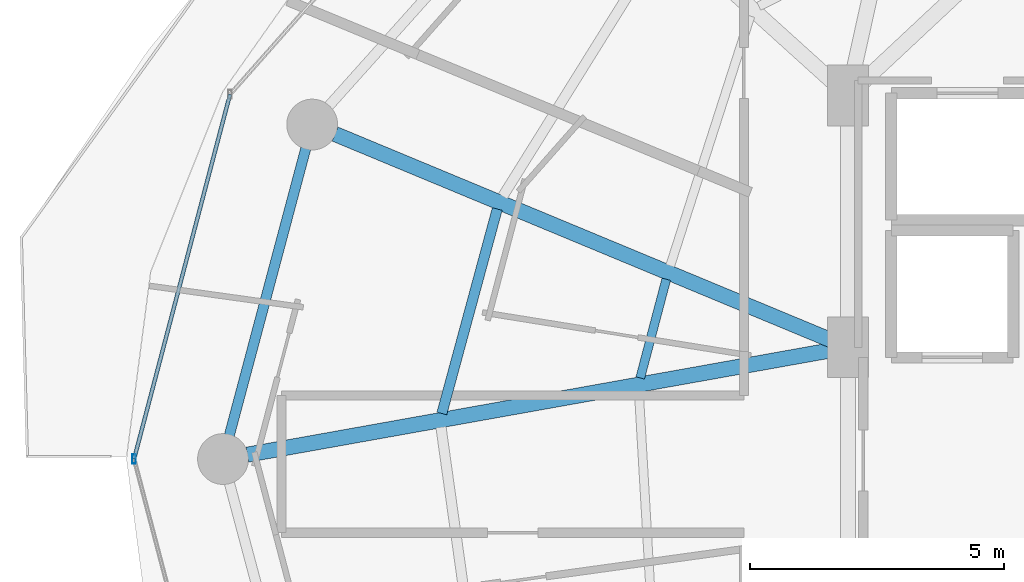
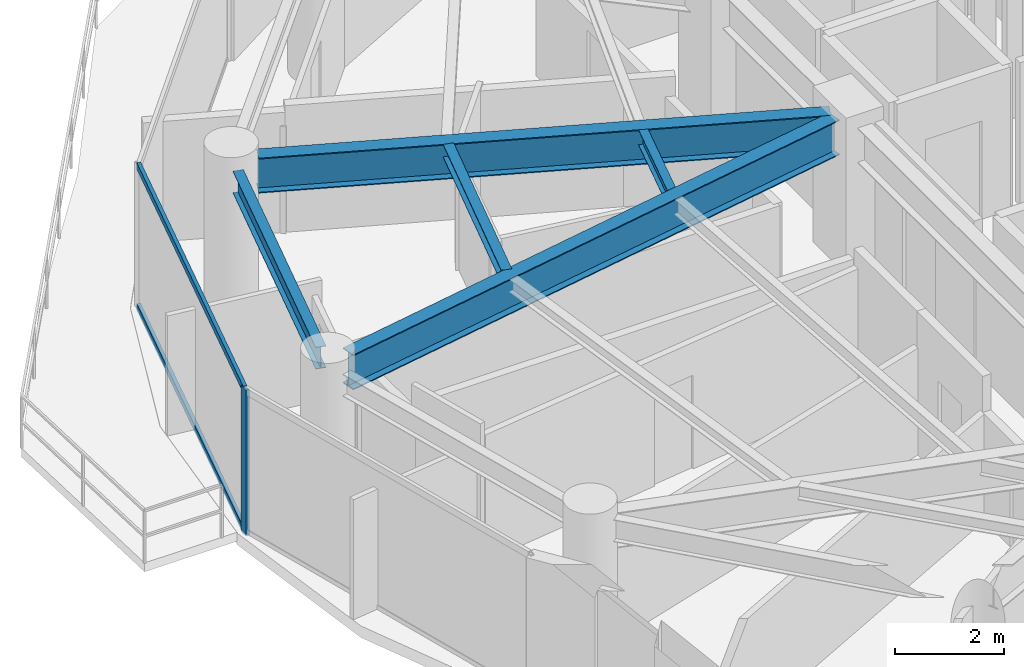
# One storey, part 8 of 29: 5 beams, 3 members, 1 element without a shape of its own.
"""IFC4 building model written with IfcOpenShell, lengths in metres."""

from ifc_helpers import new_model, si_unit, direction, frame, origin, origin_2d, place, context, subcontext, project, spatial, hollow_rectangle, i_section, extrude, material, material_profile, profile_set, type_object, element, aggregate, save


model = new_model("IFC4")

# Units and contexts
model_context = context("Model", 3, precision=1e-05, world=origin(), true_north=direction((0.0, 1.0)))
body_context = subcontext(model_context, "Body", "Model", "MODEL_VIEW")
ifc_project = project(units=[si_unit("LENGTHUNIT", "METRE"), si_unit("AREAUNIT", "SQUARE_METRE"), si_unit("VOLUMEUNIT", "CUBIC_METRE"), si_unit("PLANEANGLEUNIT", "RADIAN"), si_unit("MASSUNIT", "GRAM", prefix="KILO")], contexts=[model_context])

# Site, building, storey
site_placement = place(None, origin())
site = spatial("IfcSite", under=ifc_project, at=site_placement, CompositionType="ELEMENT")
building_placement = place(site_placement, origin())
building = spatial("IfcBuilding", under=site, at=building_placement, Name="Vorneva Point Tower", CompositionType="ELEMENT")
storey_placement = place(building_placement, frame((0.0, 0.0, 171.10009765625)))
storey = spatial("IfcBuildingStorey", under=building, at=storey_placement, Name="L46", CompositionType="ELEMENT", Elevation=171.10009765625)

# Beams
ifc_material_1 = material(Name="Steel S355", Category="steel")
ifc_material_profile_1 = material_profile(ifc_material_1, i_section(OverallWidth=0.300048828125, OverallDepth=0.7880859375, WebThickness=0.014404296875, FlangeThickness=0.02197265625, at=origin_2d()), Name="80Sh1")
ifc_profile_set_1 = profile_set([ifc_material_profile_1], Name="Steel S355")
beam_type_1 = type_object("IfcBeamType", Name="BM-GRD-80Sh1", PredefinedType="USERDEFINED", material=ifc_profile_set_1)
beam_1_placement = place(storey_placement, frame((17.1552734375, 32.39501953125, 2.805908203125), z_axis=(0.923440676596, -0.383741210723, 0.0), x_axis=(0.383741210723, 0.923440676596, 0.0)))
element("IfcBeam", 1, at=beam_1_placement, inside=storey, type_object=beam_type_1, Name="L46 Radial Primary Girder 08", ObjectType="GIRDER", PredefinedType="USERDEFINED", context=body_context, shape_type="SweptSolid", body=[
    extrude(i_section(OverallWidth=0.300048828125, OverallDepth=0.7880859375, WebThickness=0.014404296875, FlangeThickness=0.02197265625, at=origin_2d()), origin(), (0.0, 0.0, 1.0), 10.591552734375),
])
beam_2_placement = place(storey_placement, frame((15.430419921875, 26.0859375, 2.805908203125), z_axis=(0.984378132756, 0.176067293249, 0.0), x_axis=(-0.176067293249, 0.984378132756, 0.0)))
element("IfcBeam", 2, at=beam_2_placement, inside=storey, type_object=beam_type_1, Name="L46 Radial Primary Girder 09", ObjectType="GIRDER", PredefinedType="USERDEFINED", context=body_context, shape_type="SweptSolid", body=[
    extrude(i_section(OverallWidth=0.300048828125, OverallDepth=0.7880859375, WebThickness=0.014404296875, FlangeThickness=0.02197265625, at=origin_2d()), origin(), (0.0, 0.0, 1.0), 11.667236328125),
])
ifc_material_profile_2 = material_profile(ifc_material_1, i_section(OverallWidth=0.199951171875, OverallDepth=0.291015625, WebThickness=0.008056640625, FlangeThickness=0.010986328125, at=origin_2d()), Name="30Sh1")
ifc_profile_set_2 = profile_set([ifc_material_profile_2], Name="Steel S355")
beam_type_2 = type_object("IfcBeamType", Name="BM-SEC-30Sh1", PredefinedType="BEAM", material=ifc_profile_set_2)
beam_3_placement = place(storey_placement, frame((20.3466796875, 30.92041015625, 3.054443359375), z_axis=(-0.2615064173, -0.965201737312, 0.0), x_axis=(0.965201737312, -0.2615064173, 0.0)))
element("IfcBeam", 3, at=beam_3_placement, inside=storey, type_object=beam_type_2, Name="L46 Secondary Floor Beam 1.08", PredefinedType="BEAM", context=body_context, shape_type="SweptSolid", body=[
    extrude(i_section(OverallWidth=0.199951171875, OverallDepth=0.291015625, WebThickness=0.008056640625, FlangeThickness=0.010986328125, at=origin_2d()), origin(), (0.0, 0.0, 1.0), 4.16845703125),
])
ifc_material_profile_3 = material_profile(ifc_material_1, i_section(OverallWidth=0.174072265625, OverallDepth=0.345947265625, WebThickness=0.006103515625, FlangeThickness=0.009033203125, at=origin_2d()), Name="35B1")
ifc_profile_set_3 = profile_set([ifc_material_profile_3], Name="Steel S355")
beam_type_3 = type_object("IfcBeamType", Name="BM-SEC-35B1", PredefinedType="BEAM", material=ifc_profile_set_3)
beam_4_placement = place(storey_placement, frame((23.673095703125, 29.538330078125, 3.02685546875), z_axis=(-0.255181084238, -0.966893279658, 0.0), x_axis=(0.966893279658, -0.255181084238, 0.0)))
element("IfcBeam", 4, at=beam_4_placement, inside=storey, type_object=beam_type_3, Name="L46 Secondary Floor Beam 2.08", PredefinedType="BEAM", context=body_context, shape_type="SweptSolid", body=[
    extrude(i_section(OverallWidth=0.174072265625, OverallDepth=0.345947265625, WebThickness=0.006103515625, FlangeThickness=0.009033203125, at=origin_2d()), origin(), (0.0, 0.0, 1.0), 2.009033203125),
])
ifc_material_profile_4 = material_profile(ifc_material_1, i_section(OverallWidth=0.199951171875, OverallDepth=0.491943359375, WebThickness=0.0087890625, FlangeThickness=0.011962890625, at=origin_2d()), Name="50B1")
ifc_profile_set_4 = profile_set([ifc_material_profile_4], Name="Steel S355")
beam_type_4 = type_object("IfcBeamType", Name="BM-SPN-50B1", PredefinedType="SPANDREL", material=ifc_profile_set_4)
beam_5_placement = place(storey_placement, frame((16.57958984375, 32.113525390625, 2.953857421875), z_axis=(-0.257550804648, -0.966264758245, 0.0), x_axis=(0.966264758245, -0.257550804648, 0.0)))
element("IfcBeam", 5, at=beam_5_placement, inside=storey, type_object=beam_type_4, Name="L46 Perimeter Spandrel Ring Beam 08", PredefinedType="SPANDREL", context=body_context, shape_type="SweptSolid", body=[
    extrude(i_section(OverallWidth=0.199951171875, OverallDepth=0.491943359375, WebThickness=0.0087890625, FlangeThickness=0.011962890625, at=origin_2d()), origin(), (0.0, 0.0, 1.0), 5.842041015625),
])

# Curtain wall, members
ifc_material_2 = material(Name="Pale anodised aluminium", Category="aluminium")
curtain_wall_type = type_object("IfcCurtainWallType", Name="CW-RES-SYS", PredefinedType="NOTDEFINED", material=ifc_material_2)
curtain_wall_placement = place(storey_placement, origin())
curtain_wall = element("IfcCurtainWall", 6, at=curtain_wall_placement, inside=storey, type_object=curtain_wall_type, Name="L46 Unitised Curtain Wall CW-L46-R03", PredefinedType="NOTDEFINED")
ifc_material_profile_5 = material_profile(ifc_material_2, hollow_rectangle(XDim=0.074951171875, YDim=0.179931640625, WallThickness=0.00390625, at=origin_2d()), Name="AL-MUL 180x75x4")
ifc_profile_set_5 = profile_set([ifc_material_profile_5], Name="Pale anodised aluminium")
member_type_1 = type_object("IfcMemberType", Name="CW-MUL-180", PredefinedType="MULLION", material=ifc_profile_set_5)
member_1_placement = place(storey_placement, frame((13.199951171875, 26.0, -0.0400390625), z_axis=(0.0, 0.0, 1.0), x_axis=(1.0, 0.0, 0.0)))
member_1 = element("IfcMember", 7, at=member_1_placement, type_object=member_type_1, Name="CW-L46-R03 Mullion 03", PredefinedType="MULLION", context=body_context, shape_type="SweptSolid", body=[
    extrude(hollow_rectangle(XDim=0.074951171875, YDim=0.179931640625, WallThickness=0.00390625, at=origin_2d()), origin(), (0.0, 0.0, 1.0), 3.27001953125),
])
ifc_material_profile_6 = material_profile(ifc_material_2, hollow_rectangle(XDim=0.074951171875, YDim=0.14990234375, WallThickness=0.00390625, at=origin_2d()), Name="AL-TRN 150x75x4")
ifc_profile_set_6 = profile_set([ifc_material_profile_6], Name="Pale anodised aluminium")
member_type_2 = type_object("IfcMemberType", Name="CW-TRN-150", PredefinedType="USERDEFINED", material=ifc_profile_set_6)
member_2_placement = place(storey_placement, frame((15.087890625, 33.17529296875, 0.02001953125), z_axis=(-0.254456046293, -0.967084339913, 0.0), x_axis=(0.967084339913, -0.254456046293, 0.0)))
member_2 = element("IfcMember", 8, at=member_2_placement, type_object=member_type_2, Name="CW-L46-R03 Transom 02.1", ObjectType="TRANSOM", PredefinedType="USERDEFINED", context=body_context, shape_type="SweptSolid", body=[
    extrude(hollow_rectangle(XDim=0.074951171875, YDim=0.14990234375, WallThickness=0.00390625, at=origin_2d()), origin(), (0.0, 0.0, 1.0), 7.41943359375),
])
member_3_placement = place(storey_placement, frame((15.087890625, 33.17529296875, 3.179931640625), z_axis=(-0.254456046293, -0.967084339913, 0.0), x_axis=(0.967084339913, -0.254456046293, 0.0)))
member_3 = element("IfcMember", 9, at=member_3_placement, type_object=member_type_2, Name="CW-L46-R03 Transom 02.2", ObjectType="TRANSOM", PredefinedType="USERDEFINED", context=body_context, shape_type="SweptSolid", body=[
    extrude(hollow_rectangle(XDim=0.074951171875, YDim=0.14990234375, WallThickness=0.00390625, at=origin_2d()), origin(), (0.0, 0.0, 1.0), 7.41943359375),
])
aggregate(curtain_wall, [member_1, member_2, member_3])

save(model, "model.ifc")
